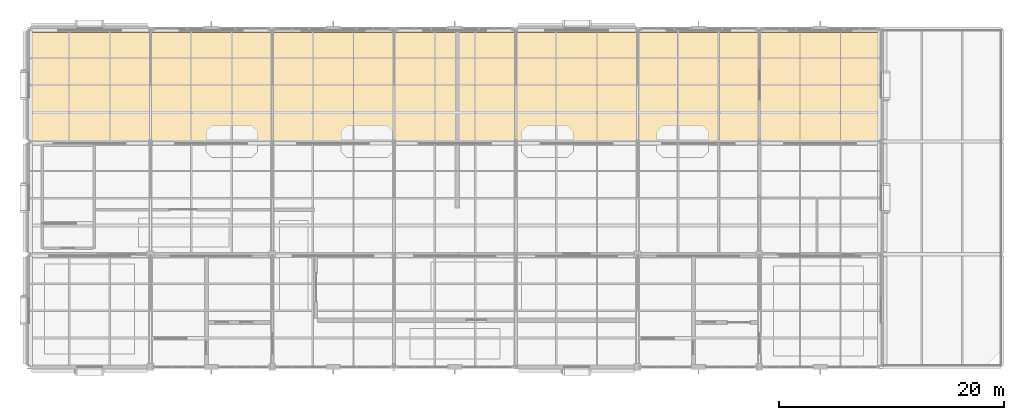
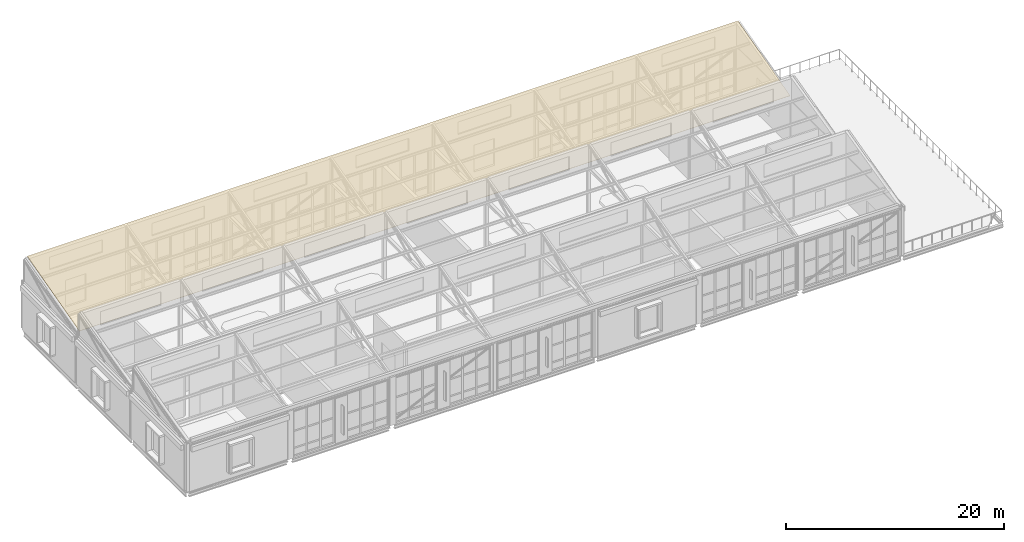
# One storey, part 48 of 49: 1 covering.
"""IFC4 building model written with IfcOpenShell, lengths in metres."""

from ifc_helpers import new_model, si_unit, direction, frame, origin, place, context, subcontext, project, spatial, polyline, outline, extrude, material, layer, layer_set, type_object, element, save


model = new_model("IFC4")

# Units and contexts
model_context = context("Model", 3, precision=1e-05, world=origin(), true_north=direction((0.0, 1.0)))
body_context = subcontext(model_context, "Body", "Model", "MODEL_VIEW")
ifc_project = project(units=[si_unit("LENGTHUNIT", "METRE"), si_unit("AREAUNIT", "SQUARE_METRE"), si_unit("VOLUMEUNIT", "CUBIC_METRE"), si_unit("PLANEANGLEUNIT", "RADIAN"), si_unit("MASSUNIT", "GRAM", prefix="KILO")], contexts=[model_context])

# Site, building, storey
site_placement = place(None, origin())
site = spatial("IfcSite", under=ifc_project, at=site_placement, CompositionType="ELEMENT")
building_placement = place(site_placement, origin())
building = spatial("IfcBuilding", under=site, at=building_placement, Name="Tasgan Crest Museum", CompositionType="ELEMENT")
storey_placement = place(building_placement, frame((0.0, 0.0, 28.800048828125)))
storey = spatial("IfcBuildingStorey", under=building, at=storey_placement, Name="L05", CompositionType="ELEMENT", Elevation=28.800048828125)

# Covering
ifc_material = material(Name="Pre-weathered Standing-Seam Zinc")
ifc_layer = layer(ifc_material, 0.030029296875, Name="COV-ROOF-ZINC")
ifc_layer_set = layer_set([ifc_layer], Name="Pre-weathered Standing-Seam Zinc")
covering_type = type_object("IfcCoveringType", Name="COV-ROOF-ZINC", PredefinedType="ROOFING", material=ifc_layer_set)
covering_placement = place(storey_placement, frame((0.199951171875, 102.10009765625, 5.639892578125), z_axis=(0.0, -0.262704113642, 0.964876442181), x_axis=(1.0, 0.0, 0.0)))
element("IfcCovering", 1, at=covering_placement, inside=storey, type_object=covering_type, Name="Sawtooth standing-seam zinc roofing B3", PredefinedType="ROOFING", context=body_context, shape_type="SweptSolid", body=[
    extrude(outline(polyline([(0.0, 0.0), (75.199951171875, 0.0), (75.199951171875, 9.897437920564782), (0.0, 9.897437920564782), (0.0, 0.0)])), origin(), (0.0, 0.0, -1.0), 0.030029296875),
])

save(model, "model.ifc")
